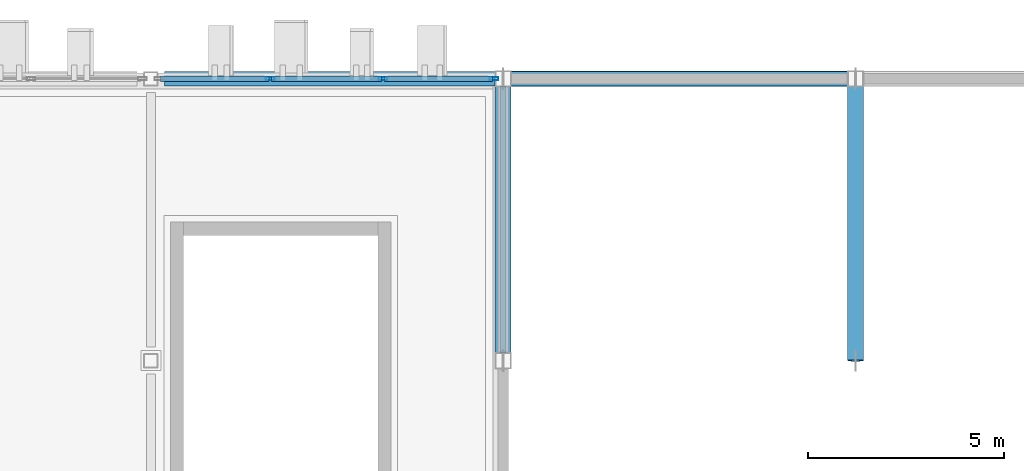
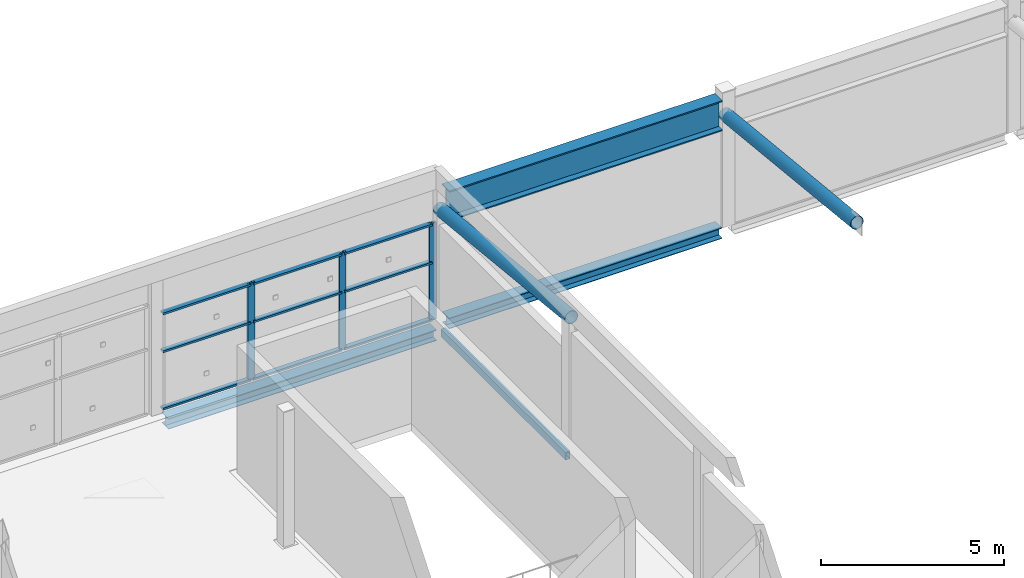
# One storey, part 74 of 124: 14 members, 4 beams, 1 element without a shape of its own.
"""IFC4 building model written with IfcOpenShell, lengths in metres."""

import ifcopenshell
import ifcopenshell.guid

model = None  # the IFC model being written
_history = None  # IfcOwnerHistory: only IFC2X3 demands one
_inside = {}  # id of a spatial element -> (the spatial element, [elements in it])
_under = {}  # id of a project, library or spatial element -> (it, [spatial elements below it])
_declared = {}  # id of a project -> (the project, [libraries it declares])
_typed = {}  # id of a type object -> (the type object, [elements of that type])
_made_of = {}  # id of a material, layer set ... -> (it, [elements and type objects made of it])


def new_model(schema):
    """Start an empty IFC model of exactly this schema.

    Asked for "IFC4X3", IfcOpenShell would pick the latest addendum, in which some entities
    have other attributes; the version numbers below select the first issue.
    IFC2X3 requires an IfcOwnerHistory on every rooted entity: one is made here for all.
    """
    global model, _history
    if schema == "IFC4X3":
        model = ifcopenshell.file(schema_version=(4, 3, 0, 0))
    else:
        model = ifcopenshell.file(schema=schema)
    _inside.clear()
    _under.clear()
    _declared.clear()
    _typed.clear()
    _made_of.clear()
    _history = None
    if model.schema == "IFC2X3":
        org = make("IfcOrganization", Name="unknown")
        user = make(
            "IfcPersonAndOrganization",
            ThePerson=make("IfcPerson", FamilyName="unknown"),
            TheOrganization=org,
        )
        app = make(
            "IfcApplication",
            ApplicationDeveloper=org,
            Version="unknown",
            ApplicationFullName="unknown",
            ApplicationIdentifier="unknown",
        )
        _history = make(
            "IfcOwnerHistory",
            OwningUser=user,
            OwningApplication=app,
            ChangeAction="ADDED",
            CreationDate=0,
        )
    return model


def make(cls, **values):
    """One entity of the class cls with the attributes given. An attribute that is None is left unset."""
    return model.create_entity(
        cls, **{name: value for name, value in values.items() if value is not None}
    )


def rooted(cls, **values):
    """An entity with a GlobalId (a new one), such as an element, a storey or a relation."""
    return make(cls, GlobalId=ifcopenshell.guid.new(), OwnerHistory=_history, **values)


def si_unit(unit_type, name, prefix=None):
    """IfcSIUnit, for example si_unit("LENGTHUNIT", "METRE", prefix="MILLI")."""
    return make("IfcSIUnit", UnitType=unit_type, Prefix=prefix, Name=name)


def assignment(units):
    """IfcUnitAssignment: the units of a project."""
    return None if units is None else make("IfcUnitAssignment", Units=units)


def point(xyz):
    """IfcCartesianPoint."""
    return None if xyz is None else make("IfcCartesianPoint", Coordinates=xyz)


def direction(xyz):
    """IfcDirection."""
    return None if xyz is None else make("IfcDirection", DirectionRatios=xyz)


def frame(location, z_axis=None, x_axis=None):
    """IfcAxis2Placement3D, a coordinate frame: its origin and axes. An axis left out is left unset."""
    return make(
        "IfcAxis2Placement3D",
        Location=point(location),
        Axis=direction(z_axis),
        RefDirection=direction(x_axis),
    )


def frame_2d(location, x_axis=None):
    """IfcAxis2Placement2D, a coordinate frame in the plane: its origin and x axis."""
    return make(
        "IfcAxis2Placement2D", Location=point(location), RefDirection=direction(x_axis)
    )


def origin():
    """The frame at (0, 0, 0) with its axes left unset."""
    return frame((0.0, 0.0, 0.0))


def origin_2d():
    """The frame at (0, 0) in the plane with its x axis left unset."""
    return frame_2d((0.0, 0.0))


def place(relative_to, where):
    """IfcLocalPlacement: puts the frame where relative to a parent placement (None: the world)."""
    return make(
        "IfcLocalPlacement", PlacementRelTo=relative_to, RelativePlacement=where
    )


def context(
    kind, dimensions, precision=None, world=None, true_north=None, identifier=None
):
    """IfcGeometricRepresentationContext, for example the 3D "Model" context."""
    return make(
        "IfcGeometricRepresentationContext",
        ContextIdentifier=identifier,
        ContextType=kind,
        CoordinateSpaceDimension=dimensions,
        Precision=precision,
        WorldCoordinateSystem=world,
        TrueNorth=true_north,
    )


def subcontext(parent, identifier, kind, view, scale=None):
    """IfcGeometricRepresentationSubContext, for example "Body" below "Model"."""
    return make(
        "IfcGeometricRepresentationSubContext",
        ContextIdentifier=identifier,
        ContextType=kind,
        ParentContext=parent,
        TargetScale=scale,
        TargetView=view,
    )


def project(units=None, contexts=None):
    """IfcProject with its units and contexts."""
    return rooted(
        "IfcProject",
        Name="project",
        RepresentationContexts=contexts,
        UnitsInContext=assignment(units),
    )


def spatial(cls, under=None, at=None, **own):
    """A site, building, storey or space (cls), placed at a placement, below another one or the project."""
    s = rooted(cls, ObjectPlacement=at, **own)
    if under is not None:
        _under.setdefault(under.id(), (under, []))[1].append(s)
    return s


def profile(cls, at=None, kind="AREA", **sizes):
    """A parametric profile (cls). Its sizes go by their IFC names, for example OverallWidth=200.0."""
    return make(cls, ProfileType=kind, Position=at, **sizes)


def hollow_rectangle(**sizes):
    """IfcRectangleHollowProfileDef."""
    return profile("IfcRectangleHollowProfileDef", **sizes)


def hollow_circle(**sizes):
    """IfcCircleHollowProfileDef."""
    return profile("IfcCircleHollowProfileDef", **sizes)


def i_section(**sizes):
    """IfcIShapeProfileDef."""
    return profile("IfcIShapeProfileDef", **sizes)


def extrude(swept, where, along, depth):
    """IfcExtrudedAreaSolid: the profile swept, set in the frame where, extruded along a direction by depth."""
    return make(
        "IfcExtrudedAreaSolid",
        SweptArea=swept,
        Position=where,
        ExtrudedDirection=direction(along),
        Depth=depth,
    )


def shape(context_of_items, identifier, shape_type, items):
    """IfcShapeRepresentation: the items that make up one representation, for example the "Body"."""
    return make(
        "IfcShapeRepresentation",
        ContextOfItems=context_of_items,
        RepresentationIdentifier=identifier,
        RepresentationType=shape_type,
        Items=items,
    )


def material(Name=None, Category=None):
    """IfcMaterial."""
    return make("IfcMaterial", Name=Name, Category=Category)


def layer(
    of_material, thickness, ventilated=None, Name=None, Category=None, Priority=None
):
    """IfcMaterialLayer: one layer of a wall or slab, of a material (None: an air gap)."""
    return make(
        "IfcMaterialLayer",
        Material=of_material,
        LayerThickness=thickness,
        IsVentilated=ventilated,
        Name=Name,
        Category=Category,
        Priority=Priority,
    )


def layer_set(layers, Name=None):
    """IfcMaterialLayerSet."""
    return make("IfcMaterialLayerSet", MaterialLayers=layers, LayerSetName=Name)


def material_profile(
    of_material, cross_section, Name=None, Category=None, Priority=None
):
    """IfcMaterialProfile: a cross section and its material."""
    return make(
        "IfcMaterialProfile",
        Name=Name,
        Material=of_material,
        Profile=cross_section,
        Priority=Priority,
        Category=Category,
    )


def profile_set(profiles, Name=None, composite=None):
    """IfcMaterialProfileSet."""
    return make(
        "IfcMaterialProfileSet",
        Name=Name,
        MaterialProfiles=profiles,
        CompositeProfile=composite,
    )


def made_of(thing, what):
    """Note that an element or type object is made of a material, layer set ...; save() writes the relation."""
    if what is not None:
        _made_of.setdefault(what.id(), (what, []))[1].append(thing)
    return thing


def type_object(cls, material=None, **own):
    """A type object (cls), such as IfcWallType, which elements share."""
    return made_of(rooted(cls, **own), material)


def element(
    cls,
    number,
    at=None,
    inside=None,
    cuts=None,
    type_object=None,
    material=None,
    context=None,
    identifier="Body",
    shape_type=None,
    held_by="IfcProductDefinitionShape",
    body=None,
    shapes=None,
    **own,
):
    """One element of the class cls, such as IfcWall. Its Tag is "e" and its number.

    at: its placement. inside: the storey or other place that contains it. cuts: it is an
    opening in that element (IfcRelVoidsElement). A single representation is given by context,
    identifier, shape_type and body (its items); several are given by shapes. held_by: the class
    of the entity that holds the representations. save() writes the other relations.
    """
    e = rooted(cls, Tag="e%d" % number, ObjectPlacement=at, **own)
    if body is not None:
        shapes = [shape(context, identifier, shape_type, body)]
    if shapes is not None:
        e.Representation = make(held_by, Representations=shapes)
    if inside is not None:
        _inside.setdefault(inside.id(), (inside, []))[1].append(e)
    if cuts is not None:
        rooted(
            "IfcRelVoidsElement", RelatingBuildingElement=cuts, RelatedOpeningElement=e
        )
    if type_object is not None:
        _typed.setdefault(type_object.id(), (type_object, []))[1].append(e)
    return made_of(e, material)


def aggregate(whole, parts):
    """IfcRelAggregates: a whole, such as a stair, and the parts it consists of."""
    return rooted("IfcRelAggregates", RelatingObject=whole, RelatedObjects=parts)


def save(model, path):
    """Write the relations noted so far, then the file.

    IfcRelAggregates (storeys below a building ...), IfcRelContainedInSpatialStructure (elements
    in a storey), IfcRelDefinesByType, IfcRelAssociatesMaterial and IfcRelDeclares: one each for
    every whole, place, type object, material and project.
    """
    for whole, parts in _under.values():
        aggregate(whole, parts)
    for where, things in _inside.values():
        rooted(
            "IfcRelContainedInSpatialStructure",
            RelatedElements=things,
            RelatingStructure=where,
        )
    for kind, things in _typed.values():
        rooted("IfcRelDefinesByType", RelatedObjects=things, RelatingType=kind)
    for what, things in _made_of.values():
        rooted("IfcRelAssociatesMaterial", RelatedObjects=things, RelatingMaterial=what)
    for by, libraries in _declared.values():
        rooted("IfcRelDeclares", RelatingContext=by, RelatedDefinitions=libraries)
    model.write(path)


model = new_model("IFC4")

# Units and contexts
model_context = context("Model", 3, precision=1e-05, world=origin(), true_north=direction((0.0, 1.0)))
body_context = subcontext(model_context, "Body", "Model", "MODEL_VIEW")
ifc_project = project(units=[si_unit("LENGTHUNIT", "METRE"), si_unit("AREAUNIT", "SQUARE_METRE"), si_unit("VOLUMEUNIT", "CUBIC_METRE"), si_unit("PLANEANGLEUNIT", "RADIAN"), si_unit("MASSUNIT", "GRAM", prefix="KILO")], contexts=[model_context])

# Site, building, storey
site_placement = place(None, origin())
site = spatial("IfcSite", under=ifc_project, at=site_placement, CompositionType="ELEMENT")
building_placement = place(site_placement, origin())
building = spatial("IfcBuilding", under=site, at=building_placement, Name="Celestram Park Convention Centre", CompositionType="ELEMENT")
storey_placement = place(building_placement, frame((0.0, 0.0, 15.300048828125)))
storey = spatial("IfcBuildingStorey", under=building, at=storey_placement, Name="L03", CompositionType="ELEMENT", Elevation=15.300048828125)

# Curtain wall, members
ifc_material_1 = material(Name="Anodised Aluminium Alloy 6063-T6", Category="aluminium")
ifc_layer = layer(ifc_material_1, 0.179931640625)
ifc_layer_set = layer_set([ifc_layer], Name="Anodised Aluminium Alloy 6063-T6")
curtain_wall_type = type_object("IfcCurtainWallType", Name="ARC-CW-863X324", PredefinedType="NOTDEFINED", material=ifc_layer_set)
curtain_wall_placement = place(storey_placement, origin())
curtain_wall = element("IfcCurtainWall", 1, at=curtain_wall_placement, inside=storey, type_object=curtain_wall_type, Name="Unitised curtain wall CU-L03-215", PredefinedType="NOTDEFINED")
ifc_material_profile_1 = material_profile(ifc_material_1, hollow_rectangle(XDim=0.074951171875, YDim=0.219970703125, WallThickness=0.00390625, at=origin_2d()), Name="ALU75X220X4")
ifc_profile_set_1 = profile_set([ifc_material_profile_1], Name="Anodised Aluminium Alloy 6063-T6")
member_type_1 = type_object("IfcMemberType", Name="ARC-CWM-180", PredefinedType="MULLION", material=ifc_profile_set_1)
member_1_placement = place(storey_placement, frame((147.04931640625, 165.60009765625, 0.0), z_axis=(0.0, 0.0, 1.0), x_axis=(0.0, 1.0, 0.0)))
member_1 = element("IfcMember", 2, at=member_1_placement, type_object=member_type_1, Name="CW-86X32 mullion 2", PredefinedType="MULLION", context=body_context, shape_type="SweptSolid", body=[
    extrude(hollow_rectangle(XDim=0.074951171875, YDim=0.219970703125, WallThickness=0.00390625, at=origin_2d()), origin(), (0.0, 0.0, 1.0), 3.239013671875),
])
member_2_placement = place(storey_placement, frame((149.92578125, 165.60009765625, 0.0), z_axis=(0.0, 0.0, 1.0), x_axis=(0.0, 1.0, 0.0)))
member_2 = element("IfcMember", 3, at=member_2_placement, type_object=member_type_1, Name="CW-86X32 mullion 3", PredefinedType="MULLION", context=body_context, shape_type="SweptSolid", body=[
    extrude(hollow_rectangle(XDim=0.074951171875, YDim=0.219970703125, WallThickness=0.00390625, at=origin_2d()), origin(), (0.0, 0.0, 1.0), 3.239013671875),
])
member_3_placement = place(storey_placement, frame((152.764404296875, 165.60009765625, 0.0), z_axis=(0.0, 0.0, 1.0), x_axis=(0.0, 1.0, 0.0)))
member_3 = element("IfcMember", 4, at=member_3_placement, type_object=member_type_1, Name="CW-86X32 mullion 4", PredefinedType="MULLION", context=body_context, shape_type="SweptSolid", body=[
    extrude(hollow_rectangle(XDim=0.074951171875, YDim=0.219970703125, WallThickness=0.00390625, at=origin_2d()), origin(), (0.0, 0.0, 1.0), 3.239013671875),
])
ifc_material_profile_2 = material_profile(ifc_material_1, hollow_rectangle(XDim=0.14990234375, YDim=0.06494140625, WallThickness=0.0029296875, at=origin_2d()), Name="ALU150X65X3")
ifc_profile_set_2 = profile_set([ifc_material_profile_2], Name="Anodised Aluminium Alloy 6063-T6")
member_type_2 = type_object("IfcMemberType", Name="ARC-CWT-150", PredefinedType="USERDEFINED", material=ifc_profile_set_2)
member_4_placement = place(storey_placement, frame((144.248046875, 165.60009765625, 0.032470703125), z_axis=(1.0, 0.0, 0.0), x_axis=(0.0, 1.0, 0.0)))
member_4 = element("IfcMember", 5, at=member_4_placement, type_object=member_type_2, Name="CW-86X32 transom 1.1", ObjectType="TRANSOM", PredefinedType="USERDEFINED", context=body_context, shape_type="SweptSolid", body=[
    extrude(hollow_rectangle(XDim=0.14990234375, YDim=0.06494140625, WallThickness=0.0029296875, at=origin_2d()), origin(), (0.0, 0.0, 1.0), 2.763671875),
])
member_5_placement = place(storey_placement, frame((144.248046875, 165.60009765625, 1.94287109375), z_axis=(1.0, 0.0, 0.0), x_axis=(0.0, 1.0, 0.0)))
member_5 = element("IfcMember", 6, at=member_5_placement, type_object=member_type_2, Name="CW-86X32 transom 1.2", ObjectType="TRANSOM", PredefinedType="USERDEFINED", context=body_context, shape_type="SweptSolid", body=[
    extrude(hollow_rectangle(XDim=0.14990234375, YDim=0.06494140625, WallThickness=0.0029296875, at=origin_2d()), origin(), (0.0, 0.0, 1.0), 2.763671875),
])
member_6_placement = place(storey_placement, frame((144.248046875, 165.60009765625, 3.20654296875), z_axis=(1.0, 0.0, 0.0), x_axis=(0.0, 1.0, 0.0)))
member_6 = element("IfcMember", 7, at=member_6_placement, type_object=member_type_2, Name="CW-86X32 transom 1.3", ObjectType="TRANSOM", PredefinedType="USERDEFINED", context=body_context, shape_type="SweptSolid", body=[
    extrude(hollow_rectangle(XDim=0.14990234375, YDim=0.06494140625, WallThickness=0.0029296875, at=origin_2d()), origin(), (0.0, 0.0, 1.0), 2.763671875),
])
member_7_placement = place(storey_placement, frame((147.0869140625, 165.60009765625, 0.032470703125), z_axis=(1.0, 0.0, 0.0), x_axis=(0.0, 1.0, 0.0)))
member_7 = element("IfcMember", 8, at=member_7_placement, type_object=member_type_2, Name="CW-86X32 transom 2.1", ObjectType="TRANSOM", PredefinedType="USERDEFINED", context=body_context, shape_type="SweptSolid", body=[
    extrude(hollow_rectangle(XDim=0.14990234375, YDim=0.06494140625, WallThickness=0.0029296875, at=origin_2d()), origin(), (0.0, 0.0, 1.0), 2.80126953125),
])
member_8_placement = place(storey_placement, frame((147.0869140625, 165.60009765625, 1.94287109375), z_axis=(1.0, 0.0, 0.0), x_axis=(0.0, 1.0, 0.0)))
member_8 = element("IfcMember", 9, at=member_8_placement, type_object=member_type_2, Name="CW-86X32 transom 2.2", ObjectType="TRANSOM", PredefinedType="USERDEFINED", context=body_context, shape_type="SweptSolid", body=[
    extrude(hollow_rectangle(XDim=0.14990234375, YDim=0.06494140625, WallThickness=0.0029296875, at=origin_2d()), origin(), (0.0, 0.0, 1.0), 2.80126953125),
])
member_9_placement = place(storey_placement, frame((147.0869140625, 165.60009765625, 3.20654296875), z_axis=(1.0, 0.0, 0.0), x_axis=(0.0, 1.0, 0.0)))
member_9 = element("IfcMember", 10, at=member_9_placement, type_object=member_type_2, Name="CW-86X32 transom 2.3", ObjectType="TRANSOM", PredefinedType="USERDEFINED", context=body_context, shape_type="SweptSolid", body=[
    extrude(hollow_rectangle(XDim=0.14990234375, YDim=0.06494140625, WallThickness=0.0029296875, at=origin_2d()), origin(), (0.0, 0.0, 1.0), 2.80126953125),
])
member_10_placement = place(storey_placement, frame((149.963134765625, 165.60009765625, 0.032470703125), z_axis=(1.0, 0.0, 0.0), x_axis=(0.0, 1.0, 0.0)))
member_10 = element("IfcMember", 11, at=member_10_placement, type_object=member_type_2, Name="CW-86X32 transom 3.1", ObjectType="TRANSOM", PredefinedType="USERDEFINED", context=body_context, shape_type="SweptSolid", body=[
    extrude(hollow_rectangle(XDim=0.14990234375, YDim=0.06494140625, WallThickness=0.0029296875, at=origin_2d()), origin(), (0.0, 0.0, 1.0), 2.763916015625),
])
member_11_placement = place(storey_placement, frame((149.963134765625, 165.60009765625, 1.94287109375), z_axis=(1.0, 0.0, 0.0), x_axis=(0.0, 1.0, 0.0)))
member_11 = element("IfcMember", 12, at=member_11_placement, type_object=member_type_2, Name="CW-86X32 transom 3.2", ObjectType="TRANSOM", PredefinedType="USERDEFINED", context=body_context, shape_type="SweptSolid", body=[
    extrude(hollow_rectangle(XDim=0.14990234375, YDim=0.06494140625, WallThickness=0.0029296875, at=origin_2d()), origin(), (0.0, 0.0, 1.0), 2.763916015625),
])
member_12_placement = place(storey_placement, frame((149.963134765625, 165.60009765625, 3.20654296875), z_axis=(1.0, 0.0, 0.0), x_axis=(0.0, 1.0, 0.0)))
member_12 = element("IfcMember", 13, at=member_12_placement, type_object=member_type_2, Name="CW-86X32 transom 3.3", ObjectType="TRANSOM", PredefinedType="USERDEFINED", context=body_context, shape_type="SweptSolid", body=[
    extrude(hollow_rectangle(XDim=0.14990234375, YDim=0.06494140625, WallThickness=0.0029296875, at=origin_2d()), origin(), (0.0, 0.0, 1.0), 2.763916015625),
])
aggregate(curtain_wall, [member_1, member_2, member_3, member_4, member_5, member_6, member_7, member_8, member_9, member_10, member_11, member_12])

# Beam
ifc_material_2 = material(Name="Steel ASTM A992 Grade 50", Category="steel")
ifc_material_profile_3 = material_profile(ifc_material_2, i_section(OverallWidth=0.40087890625, OverallDepth=1.010986328125, WebThickness=0.023681640625, FlangeThickness=0.0419921875, at=origin_2d()), Name="W40X297")
ifc_profile_set_3 = profile_set([ifc_material_profile_3], Name="Steel ASTM A992 Grade 50")
beam_type_1 = type_object("IfcBeamType", Name="STR-BM-W40X297", PredefinedType="BEAM", material=ifc_profile_set_3)
beam_1_placement = place(storey_placement, frame((153.197998046875, 165.60009765625, 3.744384765625), z_axis=(1.0, 0.0, 0.0), x_axis=(0.0, 1.0, 0.0)))
element("IfcBeam", 14, at=beam_1_placement, inside=storey, type_object=beam_type_1, Name="Plenary eaves tie girder BG-L03-0273", PredefinedType="BEAM", context=body_context, shape_type="SweptSolid", body=[
    extrude(i_section(OverallWidth=0.40087890625, OverallDepth=1.010986328125, WebThickness=0.023681640625, FlangeThickness=0.0419921875, at=origin_2d()), origin(), (0.0, 0.0, 1.0), 8.60400390625),
])

# Members
ifc_material_3 = material(Name="Steel ASTM A500 Grade C", Category="steel")
ifc_material_profile_4 = material_profile(ifc_material_3, hollow_circle(Radius=0.202880859375, WallThickness=0.013916015625, at=origin_2d()), Name="CHS406X14")
ifc_profile_set_4 = profile_set([ifc_material_profile_4], Name="Steel ASTM A500 Grade C")
member_type_3 = type_object("IfcMemberType", Name="STR-CHD-CHS406", PredefinedType="CHORD", material=ifc_profile_set_4)
for number, where, z_axis, x_axis, name in (
    (15, (153.0, 158.39990234375, 4.35888671875), (0.0, 0.994691436706, -0.102902603194), (-1.0, 0.0, 0.0), "V2 arch bottom chord"),
    (16, (162.0, 158.39990234375, 4.35888671875), (0.0, 0.994691436706, -0.102902603194), (-1.0, 0.0, 0.0), "V2 arch bottom chord"),
):
    element("IfcMember", number, at=place(storey_placement, frame(where, z_axis=z_axis, x_axis=x_axis)), inside=storey, type_object=member_type_3, Name=name, PredefinedType="CHORD", context=body_context, shape_type="SweptSolid", body=[
        extrude(hollow_circle(Radius=0.202880859375, WallThickness=0.013916015625, at=origin_2d()), origin(), (0.0, 0.0, 1.0), 7.238525390625),
    ])

# Beams
ifc_material_profile_5 = material_profile(ifc_material_3, hollow_rectangle(XDim=0.14990234375, YDim=0.25, WallThickness=0.010009765625, at=origin_2d()), Name="HSS250X150X10")
ifc_profile_set_5 = profile_set([ifc_material_profile_5], Name="Steel ASTM A500 Grade C")
beam_type_2 = type_object("IfcBeamType", Name="STR-SPN-HSS250X150", PredefinedType="SPANDREL", material=ifc_profile_set_5)
beam_2_placement = place(storey_placement, frame((153.0, 158.597900390625, -0.375), z_axis=(0.0, 1.0, 0.0), x_axis=(-1.0, 0.0, 0.0)))
element("IfcBeam", 17, at=beam_2_placement, inside=storey, type_object=beam_type_2, Name="Primary Y-girder BG-L03-0260", PredefinedType="SPANDREL", context=body_context, shape_type="SweptSolid", body=[
    extrude(hollow_rectangle(XDim=0.14990234375, YDim=0.25, WallThickness=0.010009765625, at=origin_2d()), origin(), (0.0, 0.0, 1.0), 6.80419921875),
])
ifc_material_profile_6 = material_profile(ifc_material_2, i_section(OverallWidth=0.367919921875, OverallDepth=0.35595703125, WebThickness=0.01123046875, FlangeThickness=0.01806640625, at=origin_2d()), Name="W14X90")
ifc_profile_set_6 = profile_set([ifc_material_profile_6], Name="Steel ASTM A992 Grade 50")
beam_type_3 = type_object("IfcBeamType", Name="STR-SPN-W14X90", PredefinedType="SPANDREL", material=ifc_profile_set_6)
beam_3_placement = place(storey_placement, frame((144.347900390625, 165.60009765625, -0.427978515625), z_axis=(1.0, 0.0, 0.0), x_axis=(0.0, 1.0, 0.0)))
element("IfcBeam", 18, at=beam_3_placement, inside=storey, type_object=beam_type_3, Name="Primary X-girder BG-L03-0244", PredefinedType="SPANDREL", context=body_context, shape_type="SweptSolid", body=[
    extrude(i_section(OverallWidth=0.367919921875, OverallDepth=0.35595703125, WebThickness=0.01123046875, FlangeThickness=0.01806640625, at=origin_2d()), origin(), (0.0, 0.0, 1.0), 8.4541015625),
])
beam_4_placement = place(storey_placement, frame((153.197998046875, 165.60009765625, -0.177978515625), z_axis=(1.0, 0.0, 0.0), x_axis=(0.0, 1.0, 0.0)))
element("IfcBeam", 19, at=beam_4_placement, inside=storey, type_object=beam_type_3, Name="High-bay perimeter spandrel SPB-L03-052", PredefinedType="SPANDREL", context=body_context, shape_type="SweptSolid", body=[
    extrude(i_section(OverallWidth=0.367919921875, OverallDepth=0.35595703125, WebThickness=0.01123046875, FlangeThickness=0.01806640625, at=origin_2d()), origin(), (0.0, 0.0, 1.0), 8.60400390625),
])

save(model, "model.ifc")
